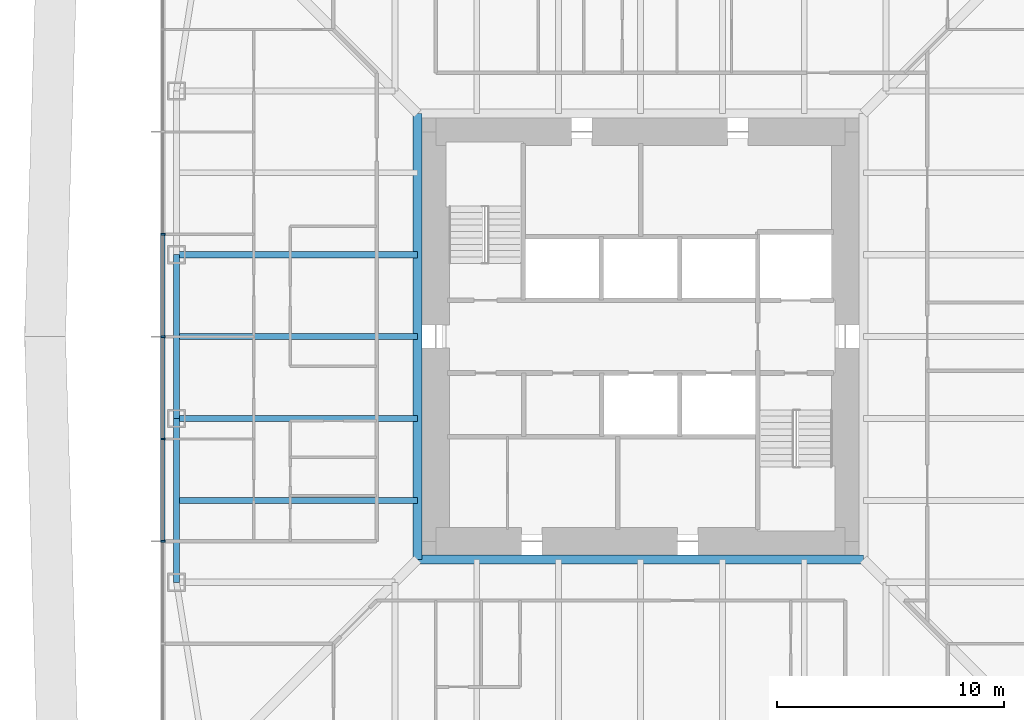
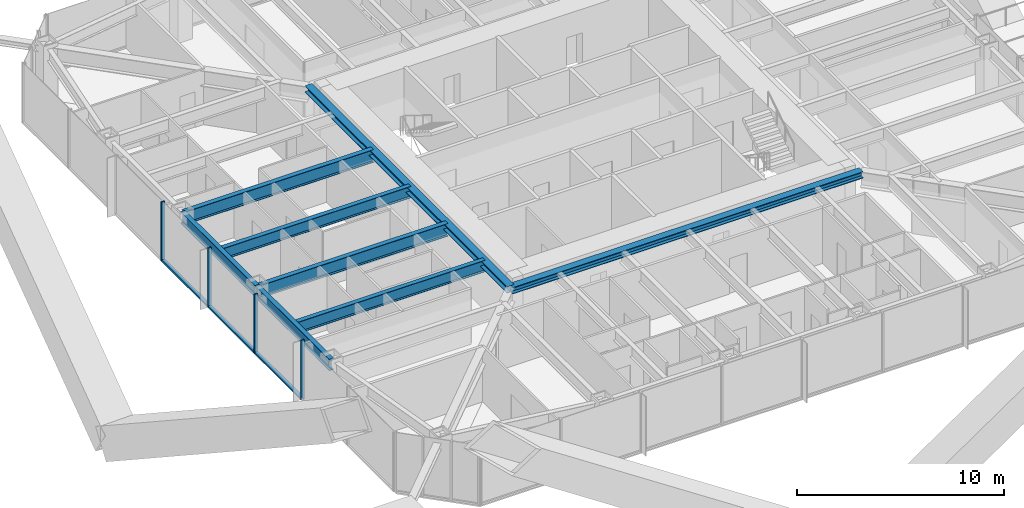
# One storey, part 4 of 28: 8 beams, 7 members, 1 element without a shape of its own.
"""IFC4 building model written with IfcOpenShell, lengths in metres."""

from ifc_helpers import new_model, si_unit, direction, frame, origin, origin_2d, place, context, subcontext, project, spatial, rectangle, i_section, extrude, material, material_profile, profile_set, type_object, element, aggregate, save


model = new_model("IFC4")

# Units and contexts
model_context = context("Model", 3, precision=1e-05, world=origin(), true_north=direction((0.0, 1.0)))
body_context = subcontext(model_context, "Body", "Model", "MODEL_VIEW")
ifc_project = project(units=[si_unit("LENGTHUNIT", "METRE"), si_unit("AREAUNIT", "SQUARE_METRE"), si_unit("VOLUMEUNIT", "CUBIC_METRE"), si_unit("PLANEANGLEUNIT", "RADIAN"), si_unit("MASSUNIT", "GRAM", prefix="KILO")], contexts=[model_context])

# Site, building, storey
site_placement = place(None, origin())
site = spatial("IfcSite", under=ifc_project, at=site_placement, CompositionType="ELEMENT")
building_placement = place(site_placement, origin())
building = spatial("IfcBuilding", under=site, at=building_placement, Name="Iwan Alto Co-Living Towers", CompositionType="ELEMENT")
storey_placement = place(building_placement, frame((0.0, 0.0, 98.0)))
storey = spatial("IfcBuildingStorey", under=building, at=storey_placement, Name="L26", CompositionType="ELEMENT", Elevation=98.0)

# Curtain wall, members
ifc_material_1 = material(Name="Bronze aluminium unitised frame", Category="aluminium")
curtain_wall_type = type_object("IfcCurtainWallType", Name="CURTAIN WALL CW-A", PredefinedType="NOTDEFINED", material=ifc_material_1)
curtain_wall_placement = place(storey_placement, origin())
curtain_wall = element("IfcCurtainWall", 1, at=curtain_wall_placement, inside=storey, type_object=curtain_wall_type, Name="T1 curtain wall W L26", PredefinedType="NOTDEFINED")
ifc_material_2 = material(Name="Aluminium 6063-T6 bronze anodised", Category="aluminium")
ifc_material_profile_1 = material_profile(ifc_material_2, rectangle(XDim=0.199951171875, YDim=0.080078125, at=origin_2d()), Name="AL 80X200")
ifc_profile_set_1 = profile_set([ifc_material_profile_1], Name="Aluminium 6063-T6 bronze anodised")
member_type_1 = type_object("IfcMemberType", Name="CW-A MULLION 80X200", PredefinedType="MULLION", material=ifc_profile_set_1)
member_1_placement = place(storey_placement, frame((-21.0, 4.5, 0.0), z_axis=(0.0, 0.0, 1.0), x_axis=(1.0, 0.0, 0.0)))
member_1 = element("IfcMember", 2, at=member_1_placement, type_object=member_type_1, Name="CW-A mullion 4", PredefinedType="MULLION", context=body_context, shape_type="SweptSolid", body=[
    extrude(rectangle(XDim=0.199951171875, YDim=0.080078125, at=origin_2d()), origin(), (0.0, 0.0, 1.0), 3.5),
])
member_2_placement = place(storey_placement, frame((-21.0, 0.0, 0.0), z_axis=(0.0, 0.0, 1.0), x_axis=(1.0, 0.0, 0.0)))
member_2 = element("IfcMember", 3, at=member_2_placement, type_object=member_type_1, Name="CW-A mullion 5", PredefinedType="MULLION", context=body_context, shape_type="SweptSolid", body=[
    extrude(rectangle(XDim=0.199951171875, YDim=0.080078125, at=origin_2d()), origin(), (0.0, 0.0, 1.0), 3.5),
])
member_3_placement = place(storey_placement, frame((-21.0, -4.5, 0.0), z_axis=(0.0, 0.0, 1.0), x_axis=(1.0, 0.0, 0.0)))
member_3 = element("IfcMember", 4, at=member_3_placement, type_object=member_type_1, Name="CW-A mullion 6", PredefinedType="MULLION", context=body_context, shape_type="SweptSolid", body=[
    extrude(rectangle(XDim=0.199951171875, YDim=0.080078125, at=origin_2d()), origin(), (0.0, 0.0, 1.0), 3.5),
])
member_4_placement = place(storey_placement, frame((-21.0, -9.0, 0.0), z_axis=(0.0, 0.0, 1.0), x_axis=(1.0, 0.0, 0.0)))
member_4 = element("IfcMember", 5, at=member_4_placement, type_object=member_type_1, Name="CW-A mullion 7", PredefinedType="MULLION", context=body_context, shape_type="SweptSolid", body=[
    extrude(rectangle(XDim=0.199951171875, YDim=0.080078125, at=origin_2d()), origin(), (0.0, 0.0, 1.0), 3.5),
])
ifc_material_3 = material(Name="Aluminium 6063-T6 bronze anodised", Category="aluminium")
ifc_material_profile_2 = material_profile(ifc_material_3, rectangle(XDim=0.199951171875, YDim=0.10009765625, at=origin_2d()), Name="AL 200X100")
ifc_profile_set_2 = profile_set([ifc_material_profile_2], Name="Aluminium 6063-T6 bronze anodised")
member_type_2 = type_object("IfcMemberType", Name="CW-A TRANSOM 200X100", PredefinedType="USERDEFINED", material=ifc_profile_set_2)
member_5_placement = place(storey_placement, frame((-21.0, 4.4599609375, 0.050048828125), z_axis=(0.0, -1.0, 0.0), x_axis=(1.0, 0.0, 0.0)))
member_5 = element("IfcMember", 6, at=member_5_placement, type_object=member_type_2, Name="CW-A transom 4.1", ObjectType="TRANSOM", PredefinedType="USERDEFINED", context=body_context, shape_type="SweptSolid", body=[
    extrude(rectangle(XDim=0.199951171875, YDim=0.10009765625, at=origin_2d()), origin(), (0.0, 0.0, 1.0), 4.419921875),
])
member_6_placement = place(storey_placement, frame((-21.0, -0.0400390625, 0.050048828125), z_axis=(0.0, -1.0, 0.0), x_axis=(1.0, 0.0, 0.0)))
member_6 = element("IfcMember", 7, at=member_6_placement, type_object=member_type_2, Name="CW-A transom 5.1", ObjectType="TRANSOM", PredefinedType="USERDEFINED", context=body_context, shape_type="SweptSolid", body=[
    extrude(rectangle(XDim=0.199951171875, YDim=0.10009765625, at=origin_2d()), origin(), (0.0, 0.0, 1.0), 4.419921875),
])
member_7_placement = place(storey_placement, frame((-21.0, -4.5400390625, 0.050048828125), z_axis=(0.0, -1.0, 0.0), x_axis=(1.0, 0.0, 0.0)))
member_7 = element("IfcMember", 8, at=member_7_placement, type_object=member_type_2, Name="CW-A transom 6.1", ObjectType="TRANSOM", PredefinedType="USERDEFINED", context=body_context, shape_type="SweptSolid", body=[
    extrude(rectangle(XDim=0.199951171875, YDim=0.10009765625, at=origin_2d()), origin(), (0.0, 0.0, 1.0), 4.419921875),
])
aggregate(curtain_wall, [member_1, member_2, member_3, member_4, member_5, member_6, member_7])

# Beams
ifc_material_4 = material(Name="Steel ASTM A992 Gr 50", Category="steel")
ifc_material_profile_3 = material_profile(ifc_material_4, i_section(OverallWidth=0.398681640625, OverallDepth=0.385986328125, WebThickness=0.02099609375, FlangeThickness=0.033203125, at=origin_2d()), Name="W14X176")
ifc_profile_set_3 = profile_set([ifc_material_profile_3], Name="Steel ASTM A992 Gr 50")
beam_type_1 = type_object("IfcBeamType", Name="T1 CORE LEDGER BEAM W14X176", PredefinedType="BEAM", material=ifc_profile_set_3)
for number, where, z_axis, x_axis, name in (
    (9, (-9.79931640625, -9.79931640625, 3.076904296875), (1.0, 0.0, 0.0), (0.0, 1.0, 0.0), "T1 core ledger beam S L27"),
    (10, (-9.79931640625, 9.79931640625, 3.076904296875), (0.0, -1.0, 0.0), (1.0, 0.0, 0.0), "T1 core ledger beam W L27"),
):
    element("IfcBeam", number, at=place(storey_placement, frame(where, z_axis=z_axis, x_axis=x_axis)), inside=storey, type_object=beam_type_1, Name=name, PredefinedType="BEAM", context=body_context, shape_type="SweptSolid", body=[
        extrude(i_section(OverallWidth=0.398681640625, OverallDepth=0.385986328125, WebThickness=0.02099609375, FlangeThickness=0.033203125, at=origin_2d()), origin(), (0.0, 0.0, 1.0), 19.5986328125),
    ])
ifc_material_5 = material(Name="Steel ASTM A992 Gr 50", Category="steel")
ifc_material_profile_4 = material_profile(ifc_material_5, i_section(OverallWidth=0.25390625, OverallDepth=0.683349609375, WebThickness=0.012451171875, FlangeThickness=0.018798828125, at=origin_2d()), Name="W27X94")
ifc_profile_set_4 = profile_set([ifc_material_profile_4], Name="Steel ASTM A992 Gr 50")
beam_type_2 = type_object("IfcBeamType", Name="T1 EDGE BEAM W27X94", PredefinedType="BEAM", material=ifc_profile_set_4)
beam_1_placement = place(storey_placement, frame((-20.39990234375, 3.60009765625, 2.928466796875), z_axis=(0.0, -1.0, 0.0), x_axis=(1.0, 0.0, 0.0)))
element("IfcBeam", 11, at=beam_1_placement, inside=storey, type_object=beam_type_2, Name="T1 edge beam W2 L27", PredefinedType="BEAM", context=body_context, shape_type="SweptSolid", body=[
    extrude(i_section(OverallWidth=0.25390625, OverallDepth=0.683349609375, WebThickness=0.012451171875, FlangeThickness=0.018798828125, at=origin_2d()), origin(), (0.0, 0.0, 1.0), 7.2001953125),
])
beam_2_placement = place(storey_placement, frame((-20.39990234375, -3.60009765625, 2.928466796875), z_axis=(0.0, -1.0, 0.0), x_axis=(1.0, 0.0, 0.0)))
element("IfcBeam", 12, at=beam_2_placement, inside=storey, type_object=beam_type_2, Name="T1 edge beam W3 L27", PredefinedType="BEAM", context=body_context, shape_type="SweptSolid", body=[
    extrude(i_section(OverallWidth=0.25390625, OverallDepth=0.683349609375, WebThickness=0.012451171875, FlangeThickness=0.018798828125, at=origin_2d()), origin(), (0.0, 0.0, 1.0), 7.199951171875),
])
ifc_material_6 = material(Name="Steel ASTM A992 Gr 50", Category="steel")
ifc_material_profile_5 = material_profile(ifc_material_6, i_section(OverallWidth=0.2666015625, OverallDepth=0.761962890625, WebThickness=0.014404296875, FlangeThickness=0.021484375, at=origin_2d()), Name="W30X116")
ifc_profile_set_5 = profile_set([ifc_material_profile_5], Name="Steel ASTM A992 Gr 50")
beam_type_3 = type_object("IfcBeamType", Name="T1 RADIAL BEAM W30X116", PredefinedType="BEAM", material=ifc_profile_set_5)
for number, where, z_axis, x_axis, name in (
    (13, (-20.39990234375, 3.60009765625, 2.888916015625), (1.0, 0.0, 0.0), (0.0, 1.0, 0.0), "T1 radial beam W2 L27"),
    (14, (-20.39990234375, -3.60009765625, 2.888916015625), (1.0, 0.0, 0.0), (0.0, 1.0, 0.0), "T1 radial beam W3 L27"),
):
    element("IfcBeam", number, at=place(storey_placement, frame(where, z_axis=z_axis, x_axis=x_axis)), inside=storey, type_object=beam_type_3, Name=name, PredefinedType="BEAM", context=body_context, shape_type="SweptSolid", body=[
        extrude(i_section(OverallWidth=0.2666015625, OverallDepth=0.761962890625, WebThickness=0.014404296875, FlangeThickness=0.021484375, at=origin_2d()), origin(), (0.0, 0.0, 1.0), 10.6005859375),
    ])
ifc_material_7 = material(Name="Steel ASTM A992 Gr 50", Category="steel")
ifc_material_profile_6 = material_profile(ifc_material_7, i_section(OverallWidth=0.25390625, OverallDepth=0.683349609375, WebThickness=0.012451171875, FlangeThickness=0.018798828125, at=origin_2d()), Name="W27X94")
ifc_profile_set_6 = profile_set([ifc_material_profile_6], Name="Steel ASTM A992 Gr 50")
beam_type_4 = type_object("IfcBeamType", Name="T1 SECONDARY BEAM W27X94", PredefinedType="JOIST", material=ifc_profile_set_6)
for number, where, z_axis, x_axis, name in (
    (15, (-20.39990234375, 0.0, 2.928466796875), (1.0, 0.0, 0.0), (0.0, 1.0, 0.0), "T1 secondary beam W2 L27"),
    (16, (-20.39990234375, -7.199951171875, 2.928466796875), (1.0, 0.0, 0.0), (0.0, 1.0, 0.0), "T1 secondary beam W3 L27"),
):
    element("IfcBeam", number, at=place(storey_placement, frame(where, z_axis=z_axis, x_axis=x_axis)), inside=storey, type_object=beam_type_4, Name=name, PredefinedType="JOIST", context=body_context, shape_type="SweptSolid", body=[
        extrude(i_section(OverallWidth=0.25390625, OverallDepth=0.683349609375, WebThickness=0.012451171875, FlangeThickness=0.018798828125, at=origin_2d()), origin(), (0.0, 0.0, 1.0), 10.6005859375),
    ])

save(model, "model.ifc")
